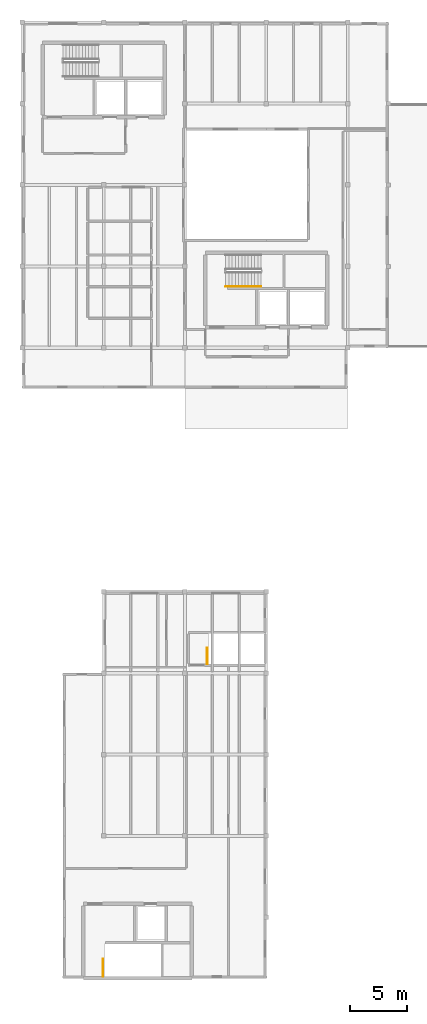
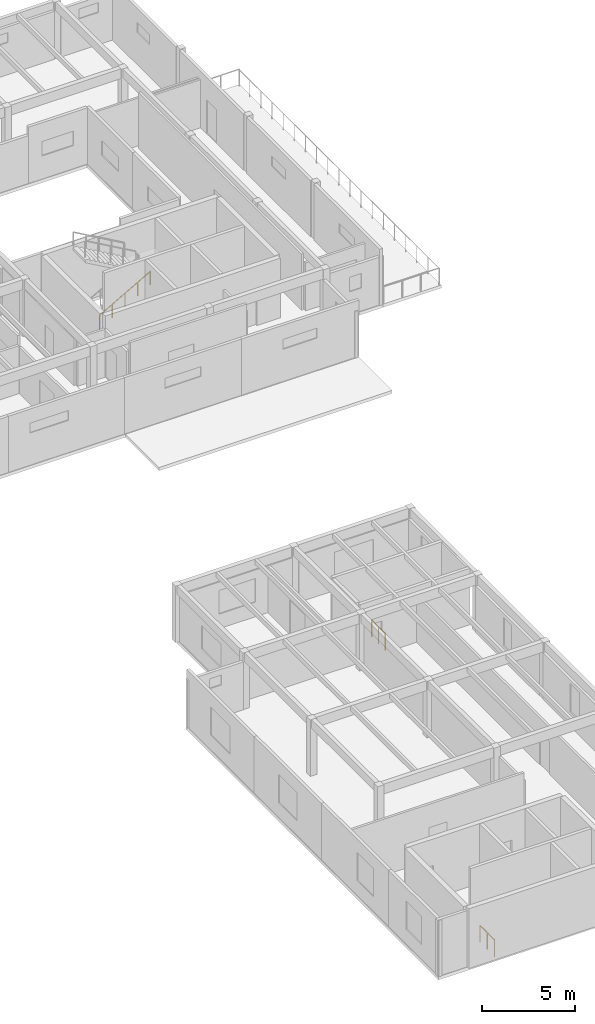
# One storey, part 8 of 12: 3 railings.
"""IFC4 building model written with IfcOpenShell, lengths in metres."""

from ifc_helpers import new_model, si_unit, direction, frame, origin, origin_2d, place, context, subcontext, project, spatial, circle, extrude, material, type_object, element, save


model = new_model("IFC4")

# Units and contexts
model_context = context("Model", 3, precision=1e-05, world=origin(), true_north=direction((0.0, 1.0)))
body_context = subcontext(model_context, "Body", "Model", "MODEL_VIEW")
ifc_project = project(units=[si_unit("LENGTHUNIT", "METRE"), si_unit("AREAUNIT", "SQUARE_METRE"), si_unit("VOLUMEUNIT", "CUBIC_METRE"), si_unit("PLANEANGLEUNIT", "RADIAN"), si_unit("MASSUNIT", "GRAM", prefix="KILO")], contexts=[model_context])

# Site, building, storey
site_placement = place(None, origin())
site = spatial("IfcSite", under=ifc_project, at=site_placement, CompositionType="ELEMENT")
building_placement = place(site_placement, origin())
building = spatial("IfcBuilding", under=site, at=building_placement, Name="Bramvelor Terrace Health Centre", CompositionType="ELEMENT")
storey_placement = place(building_placement, frame((0.0, 0.0, 17.699951171875)))
storey = spatial("IfcBuildingStorey", under=building, at=storey_placement, Name="L05", CompositionType="ELEMENT", Elevation=17.699951171875)

# Railings
ifc_material_1 = material(Name="Painted galvanized steel", Category="steel")
railing_type_1 = type_object("IfcRailingType", Name="RLG-GD-1100", PredefinedType="GUARDRAIL", material=ifc_material_1)
railing_1_placement = place(storey_placement, frame((7.14990234375, 30.75, 0.0)))
element("IfcRailing", 1, at=railing_1_placement, inside=storey, type_object=railing_type_1, Name="L05 ST-3 top well guard 1", PredefinedType="GUARDRAIL", context=body_context, shape_type="SweptSolid", body=[
    extrude(circle(Radius=0.02392578125, at=origin_2d()), frame((0.0, 0.0, 1.076171875), z_axis=(0.0, 1.0, 0.0), x_axis=(-1.0, 0.0, 0.0)), (0.0, 0.0, 1.0), 1.550048828125),
    extrude(circle(Radius=0.02099609375, at=origin_2d()), origin(), (0.0, 0.0, 1.0), 1.052001953125),
    extrude(circle(Radius=0.02099609375, at=origin_2d()), frame((0.0, 0.77490234375, 0.0)), (0.0, 0.0, 1.0), 1.052001953125),
    extrude(circle(Radius=0.02099609375, at=origin_2d()), frame((0.0, 1.550048828125, 0.0)), (0.0, 0.0, 1.0), 1.052001953125),
])
railing_2_placement = place(storey_placement, frame((16.3701171875, 58.39990234375, 0.0)))
element("IfcRailing", 2, at=railing_2_placement, inside=storey, type_object=railing_type_1, Name="L05 ST-6 top well guard 1", PredefinedType="GUARDRAIL", context=body_context, shape_type="SweptSolid", body=[
    extrude(circle(Radius=0.02392578125, at=origin_2d()), frame((0.0, 0.0, 1.076171875), z_axis=(0.0, 1.0, 0.0), x_axis=(-1.0, 0.0, 0.0)), (0.0, 0.0, 1.0), 1.4501953125),
    extrude(circle(Radius=0.02099609375, at=origin_2d()), origin(), (0.0, 0.0, 1.0), 1.052001953125),
    extrude(circle(Radius=0.02099609375, at=origin_2d()), frame((0.0, 0.72509765625, 0.0)), (0.0, 0.0, 1.0), 1.052001953125),
    extrude(circle(Radius=0.02099609375, at=origin_2d()), frame((0.0, 1.4501953125, 0.0)), (0.0, 0.0, 1.0), 1.052001953125),
])
ifc_material_2 = material(Name="Brushed stainless steel 316", Category="steel")
railing_type_2 = type_object("IfcRailingType", Name="RLG-HR-900", PredefinedType="HANDRAIL", material=ifc_material_2)
railing_3_placement = place(storey_placement, frame((18.0, 91.800048828125, 0.16259765625)))
element("IfcRailing", 3, at=railing_3_placement, inside=storey, type_object=railing_type_2, Name="L05 ST-2 stair handrail 1", PredefinedType="HANDRAIL", context=body_context, shape_type="SweptSolid", body=[
    extrude(circle(Radius=0.02392578125, at=origin_2d()), frame((0.0, 0.0, 0.8759765625), z_axis=(0.868729823959, 0.0, 0.495286273749), x_axis=(0.0, 1.0, 0.0)), (0.0, 0.0, 1.0), 3.608642578125),
    extrude(circle(Radius=0.02099609375, at=origin_2d()), origin(), (0.0, 0.0, 1.0), 0.851806640625),
    extrude(circle(Radius=0.02099609375, at=origin_2d()), frame((0.78369140625, 0.0, 0.44677734375)), (0.0, 0.0, 1.0), 0.851806640625),
    extrude(circle(Radius=0.02099609375, at=origin_2d()), frame((1.5673828125, 0.0, 0.8935546875)), (0.0, 0.0, 1.0), 0.851806640625),
    extrude(circle(Radius=0.02099609375, at=origin_2d()), frame((2.351318359375, 0.0, 1.340576171875)), (0.0, 0.0, 1.0), 0.851806640625),
    extrude(circle(Radius=0.02099609375, at=origin_2d()), frame((3.135009765625, 0.0, 1.787353515625)), (0.0, 0.0, 1.0), 0.851806640625),
])

save(model, "model.ifc")
